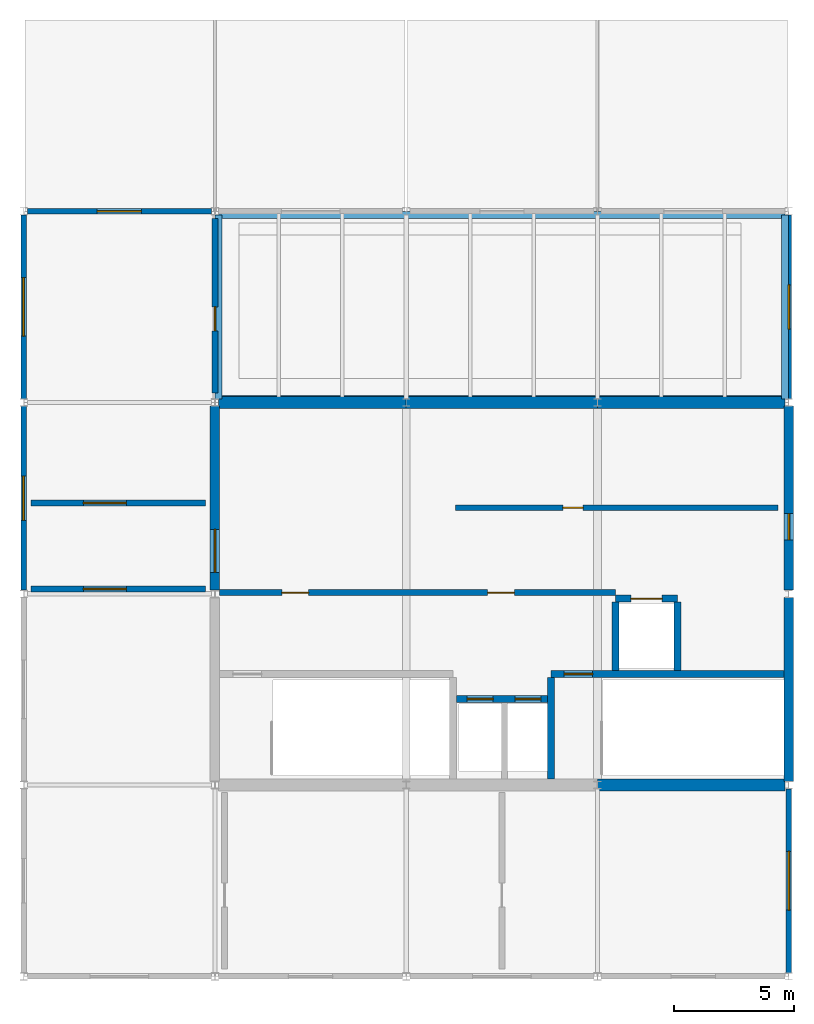
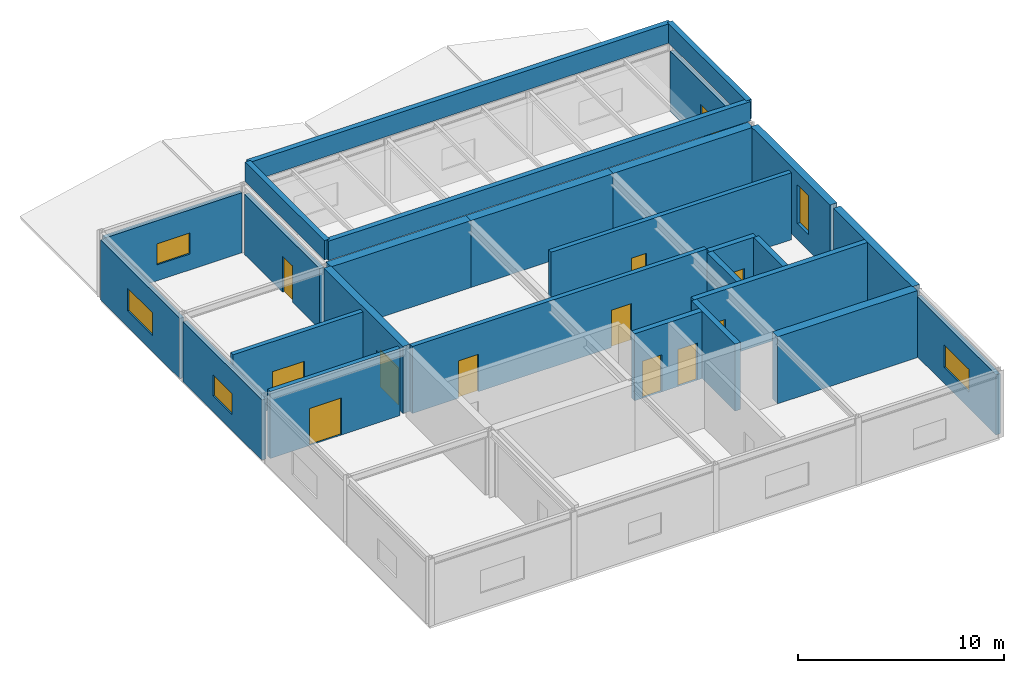
# One storey, part 5 of 7: 27 walls, 11 doors, 6 windows, 17 openings.
"""IFC4 building model written with IfcOpenShell, lengths in metres."""

from ifc_helpers import new_model, si_unit, direction, frame, frame_2d, origin, place, context, subcontext, project, spatial, rectangle, extrude, material, layer, layer_set, type_object, element, fill, save


model = new_model("IFC4")

# Units and contexts
model_context = context("Model", 3, precision=1e-05, world=origin(), true_north=direction((0.0, 1.0)))
body_context = subcontext(model_context, "Body", "Model", "MODEL_VIEW")
ifc_project = project(units=[si_unit("LENGTHUNIT", "METRE"), si_unit("AREAUNIT", "SQUARE_METRE"), si_unit("VOLUMEUNIT", "CUBIC_METRE"), si_unit("PLANEANGLEUNIT", "RADIAN"), si_unit("MASSUNIT", "GRAM", prefix="KILO")], contexts=[model_context])

# Site, building, storey
site_placement = place(None, origin())
site = spatial("IfcSite", under=ifc_project, at=site_placement, CompositionType="ELEMENT")
building_placement = place(site_placement, origin())
building = spatial("IfcBuilding", under=site, at=building_placement, Name="Varnela Railside Interchange", CompositionType="ELEMENT")
storey_placement = place(building_placement, frame((0.0, 0.0, 36.39990234375)))
storey = spatial("IfcBuildingStorey", under=building, at=storey_placement, Name="L08", CompositionType="ELEMENT", Elevation=36.39990234375)

# Wall, opening, door
ifc_material_1 = material(Name="Concrete C50", Category="concrete")
ifc_layer_1 = layer(ifc_material_1, 0.39990234375)
ifc_layer_set_1 = layer_set([ifc_layer_1], Name="Concrete C50")
wall_type_1 = type_object("IfcWallType", Name="Core Coupling Shear Wall SW-02", PredefinedType="SHEAR", material=ifc_layer_set_1)
wall_1_placement = place(storey_placement, frame((12.0, 62.154052734375, 0.0), z_axis=(0.0, 0.0, 1.0), x_axis=(0.0, 1.0, 0.0)))
wall_1 = element("IfcWall", 1, at=wall_1_placement, inside=storey, type_object=wall_type_1, Name="Core Coupling Shear Wall SW-02 (L08) (WL-1087)", PredefinedType="SHEAR", context=body_context, shape_type="SweptSolid", body=[
    extrude(rectangle(XDim=7.69189453125, YDim=0.39990234375, at=frame_2d((3.845947265625, 0.0))), origin(), (0.0, 0.0, 1.0), 3.97998046875),
])
opening_1_placement = place(wall_1_placement, frame((0.74609375, 0.0, 0.0)))
opening_1 = element("IfcOpeningElement", 2, at=opening_1_placement, cuts=wall_1, Name="Opening D-325", PredefinedType="OPENING", context=body_context, shape_type="SweptSolid", body=[
    extrude(rectangle(XDim=1.800048828125, YDim=2.199951171875, at=frame_2d((0.89990234375, 1.10009765625))), frame((0.0, 0.2099609375, 0.0), z_axis=(0.0, -1.0, 0.0), x_axis=(1.0, 0.0, 0.0)), (0.0, 0.0, 1.0), 0.419921875),
])
ifc_material_2 = material(Name="Steel AR 350 (350 MPa)", Category="steel")
door_type_1 = type_object("IfcDoorType", Name="DR-DBL-1800-FD60", OperationType="DOUBLE_DOOR_SINGLE_SWING", PredefinedType="DOOR", material=ifc_material_2)
door_1_placement = place(opening_1_placement, frame((1.800048828125, 0.0, 0.0), z_axis=(0.0, 0.0, 1.0), x_axis=(-1.0, 0.0, 0.0)))
door_1 = element("IfcDoor", 3, at=door_1_placement, inside=storey, type_object=door_type_1, Name="Door D-325", OperationType="DOUBLE_DOOR_SINGLE_SWING", OverallHeight=2.199951171875, OverallWidth=1.800048828125, PredefinedType="DOOR", context=body_context, shape_type="SweptSolid", body=[
    extrude(rectangle(XDim=1.800048828125, YDim=2.199951171875, at=frame_2d((0.89990234375, 1.10009765625))), frame((0.0, 0.02490234375, 0.0), z_axis=(0.0, -1.0, 0.0), x_axis=(1.0, 0.0, 0.0)), (0.0, 0.0, 1.0), 0.050048828125),
])
fill(opening_1, door_1)

# Wall
wall_2_placement = place(storey_placement, frame((36.0, 54.154052734375, 0.0), z_axis=(0.0, 0.0, 1.0), x_axis=(0.0, 1.0, 0.0)))
element("IfcWall", 4, at=wall_2_placement, inside=storey, type_object=wall_type_1, Name="Core Coupling Shear Wall SW-02 (L08) (WL-1068)", PredefinedType="SHEAR", context=body_context, shape_type="SweptSolid", body=[
    extrude(rectangle(XDim=7.69189453125, YDim=0.39990234375, at=frame_2d((3.845947265625, 0.0))), origin(), (0.0, 0.0, 1.0), 3.97998046875),
])

# Wall, opening, window
wall_3_placement = place(storey_placement, frame((36.0, 62.154052734375, 0.0), z_axis=(0.0, 0.0, 1.0), x_axis=(0.0, 1.0, 0.0)))
wall_3 = element("IfcWall", 5, at=wall_3_placement, inside=storey, type_object=wall_type_1, Name="Core Coupling Shear Wall SW-02 (L08) (WL-1069)", PredefinedType="SHEAR", context=body_context, shape_type="SweptSolid", body=[
    extrude(rectangle(XDim=7.69189453125, YDim=0.39990234375, at=frame_2d((3.845947265625, 0.0))), origin(), (0.0, 0.0, 1.0), 3.97998046875),
])
opening_2_placement = place(wall_3_placement, frame((2.10009765625, 0.0, 0.949951171875)))
opening_2 = element("IfcOpeningElement", 6, at=opening_2_placement, cuts=wall_3, Name="Opening W-154", PredefinedType="OPENING", context=body_context, shape_type="SweptSolid", body=[
    extrude(rectangle(XDim=1.10009765625, YDim=2.300048828125, at=frame_2d((0.550048828125, 1.14990234375))), frame((0.0, 0.2099609375, 0.0), z_axis=(0.0, -1.0, 0.0), x_axis=(1.0, 0.0, 0.0)), (0.0, 0.0, 1.0), 0.419921875),
])
ifc_material_3 = material(Name="Glass laminated double", Category="glass")
window_type_1 = type_object("IfcWindowType", Name="Core Stair Daylight Slot WN-25", PartitioningType="SINGLE_PANEL", PredefinedType="WINDOW", material=ifc_material_3)
window_1_placement = place(opening_2_placement, origin())
window_1 = element("IfcWindow", 7, at=window_1_placement, inside=storey, type_object=window_type_1, Name="Window W-154", OverallHeight=2.300048828125, OverallWidth=1.10009765625, PartitioningType="SINGLE_PANEL", PredefinedType="WINDOW", context=body_context, shape_type="SweptSolid", body=[
    extrude(rectangle(XDim=1.10009765625, YDim=2.300048828125, at=frame_2d((0.550048828125, 1.14990234375))), frame((0.0, 0.030029296875, 0.0), z_axis=(0.0, -1.0, 0.0), x_axis=(1.0, 0.0, 0.0)), (0.0, 0.0, 1.0), 0.06005859375),
])
fill(opening_2, window_1)

# Walls
ifc_layer_2 = layer(ifc_material_1, 0.5)
ifc_layer_set_2 = layer_set([ifc_layer_2], Name="Concrete C50")
wall_type_2 = type_object("IfcWallType", Name="Core Primary Shear Wall SW-01", PredefinedType="SHEAR", material=ifc_layer_set_2)
for number, where, z_axis, x_axis, name in (
    (8, (28.0, 54.0, 0.0), (0.0, 0.0, 1.0), (1.0, 0.0, 0.0), "Core Primary Shear Wall SW-01 (L08) (WL-1081)"),
    (9, (12.155029296875, 70.0, 0.0), (0.0, 0.0, 1.0), (1.0, 0.0, 0.0), "Core Primary Shear Wall SW-01 (L08) (WL-1076)"),
):
    element("IfcWall", number, at=place(storey_placement, frame(where, z_axis=z_axis, x_axis=x_axis)), inside=storey, type_object=wall_type_2, Name=name, PredefinedType="SHEAR", context=body_context, shape_type="SweptSolid", body=[
        extrude(rectangle(XDim=7.844970703125, YDim=0.5, at=frame_2d((3.92236328125, 0.0))), origin(), (0.0, 0.0, 1.0), 3.97998046875),
    ])
wall_4_placement = place(storey_placement, frame((20.0, 70.0, 0.0), z_axis=(0.0, 0.0, 1.0), x_axis=(1.0, 0.0, 0.0)))
element("IfcWall", 10, at=wall_4_placement, inside=storey, type_object=wall_type_2, Name="Core Primary Shear Wall SW-01 (L08) (WL-1077)", PredefinedType="SHEAR", context=body_context, shape_type="SweptSolid", body=[
    extrude(rectangle(XDim=8.0, YDim=0.5, at=frame_2d((4.0, 0.0))), origin(), (0.0, 0.0, 1.0), 3.97998046875),
])
wall_5_placement = place(storey_placement, frame((28.0, 70.0, 0.0), z_axis=(0.0, 0.0, 1.0), x_axis=(1.0, 0.0, 0.0)))
element("IfcWall", 11, at=wall_5_placement, inside=storey, type_object=wall_type_2, Name="Core Primary Shear Wall SW-01 (L08) (WL-1078)", PredefinedType="SHEAR", context=body_context, shape_type="SweptSolid", body=[
    extrude(rectangle(XDim=7.844970703125, YDim=0.5, at=frame_2d((3.92236328125, 0.0))), origin(), (0.0, 0.0, 1.0), 3.97998046875),
])

# Wall, opening, window
ifc_material_4 = material(Name="Concrete C40 precast", Category="concrete")
ifc_layer_3 = layer(ifc_material_4, 0.239990234375)
ifc_layer_set_3 = layer_set([ifc_layer_3], Name="Concrete C40 precast")
wall_type_3 = type_object("IfcWallType", Name="Plant Louvre Screen Wall EW-05", PredefinedType="STANDARD", material=ifc_layer_set_3)
wall_6_placement = place(storey_placement, frame((4.0, 62.151611328125, 0.0), z_axis=(0.0, 0.0, 1.0), x_axis=(0.0, 1.0, 0.0)))
wall_6 = element("IfcWall", 12, at=wall_6_placement, inside=storey, type_object=wall_type_3, Name="Plant Louvre Screen Wall EW-05 (L08) (WL-1099)", PredefinedType="STANDARD", context=body_context, shape_type="SweptSolid", body=[
    extrude(rectangle(XDim=7.69677734375, YDim=0.239990234375, at=frame_2d((3.848388671875, 0.0))), origin(), (0.0, 0.0, 1.0), 3.572998046875),
])
opening_3_placement = place(wall_6_placement, frame((2.923583984375, 0.0, 0.949951171875)))
opening_3 = element("IfcOpeningElement", 13, at=opening_3_placement, cuts=wall_6, Name="Opening W-161", PredefinedType="OPENING", context=body_context, shape_type="SweptSolid", body=[
    extrude(rectangle(XDim=1.85009765625, YDim=1.25, at=frame_2d((0.925048828125, 0.625))), frame((0.0, 0.1298828125, 0.0), z_axis=(0.0, -1.0, 0.0), x_axis=(1.0, 0.0, 0.0)), (0.0, 0.0, 1.0), 0.260009765625),
])
ifc_material_5 = material(Name="Aluminium 6063-T6", Category="aluminium")
window_type_2 = type_object("IfcWindowType", Name="Smoke Extract Louvre Win WN-24", PartitioningType="SINGLE_PANEL", PredefinedType="WINDOW", material=ifc_material_5)
window_2_placement = place(opening_3_placement, origin())
window_2 = element("IfcWindow", 14, at=window_2_placement, inside=storey, type_object=window_type_2, Name="Window W-161", OverallHeight=1.25, OverallWidth=1.85009765625, PartitioningType="SINGLE_PANEL", PredefinedType="WINDOW", context=body_context, shape_type="SweptSolid", body=[
    extrude(rectangle(XDim=1.85009765625, YDim=1.25, at=frame_2d((0.925048828125, 0.625))), frame((0.0, 0.030029296875, 0.0), z_axis=(0.0, -1.0, 0.0), x_axis=(1.0, 0.0, 0.0)), (0.0, 0.0, 1.0), 0.06005859375),
])
fill(opening_3, window_2)

wall_7_placement = place(storey_placement, frame((4.0, 70.151611328125, 0.0), z_axis=(0.0, 0.0, 1.0), x_axis=(0.0, 1.0, 0.0)))
wall_7 = element("IfcWall", 15, at=wall_7_placement, inside=storey, type_object=wall_type_3, Name="Plant Louvre Screen Wall EW-05 (L08) (WL-1100)", PredefinedType="STANDARD", context=body_context, shape_type="SweptSolid", body=[
    extrude(rectangle(XDim=7.69677734375, YDim=0.239990234375, at=frame_2d((3.848388671875, 0.0))), origin(), (0.0, 0.0, 1.0), 3.572998046875),
])
opening_4_placement = place(wall_7_placement, frame((2.62353515625, 0.0, 0.949951171875)))
opening_4 = element("IfcOpeningElement", 16, at=opening_4_placement, cuts=wall_7, Name="Opening W-162", PredefinedType="OPENING", context=body_context, shape_type="SweptSolid", body=[
    extrude(rectangle(XDim=2.449951171875, YDim=1.35009765625, at=frame_2d((1.22509765625, 0.675048828125))), frame((0.0, 0.1298828125, 0.0), z_axis=(0.0, -1.0, 0.0), x_axis=(1.0, 0.0, 0.0)), (0.0, 0.0, 1.0), 0.260009765625),
])
window_type_3 = type_object("IfcWindowType", Name="Plant Acoustic Louvre Win WN-23", PartitioningType="SINGLE_PANEL", PredefinedType="WINDOW", material=ifc_material_5)
window_3_placement = place(opening_4_placement, origin())
window_3 = element("IfcWindow", 17, at=window_3_placement, inside=storey, type_object=window_type_3, Name="Window W-162", OverallHeight=1.35009765625, OverallWidth=2.449951171875, PartitioningType="SINGLE_PANEL", PredefinedType="WINDOW", context=body_context, shape_type="SweptSolid", body=[
    extrude(rectangle(XDim=2.449951171875, YDim=1.35009765625, at=frame_2d((1.22509765625, 0.675048828125))), frame((0.0, 0.030029296875, 0.0), z_axis=(0.0, -1.0, 0.0), x_axis=(1.0, 0.0, 0.0)), (0.0, 0.0, 1.0), 0.06005859375),
])
fill(opening_4, window_3)

wall_8_placement = place(storey_placement, frame((4.154052734375, 78.0, 0.0), z_axis=(0.0, 0.0, 1.0), x_axis=(1.0, 0.0, 0.0)))
wall_8 = element("IfcWall", 18, at=wall_8_placement, inside=storey, type_object=wall_type_3, Name="Plant Louvre Screen Wall EW-05 (L08) (WL-1101)", PredefinedType="STANDARD", context=body_context, shape_type="SweptSolid", body=[
    extrude(rectangle(XDim=7.69189453125, YDim=0.239990234375, at=frame_2d((3.845947265625, 0.0))), origin(), (0.0, 0.0, 1.0), 3.572998046875),
])
opening_5_placement = place(wall_8_placement, frame((2.9208984375, 0.0, 0.949951171875)))
opening_5 = element("IfcOpeningElement", 19, at=opening_5_placement, cuts=wall_8, Name="Opening W-163", PredefinedType="OPENING", context=body_context, shape_type="SweptSolid", body=[
    extrude(rectangle(XDim=1.85009765625, YDim=1.25, at=frame_2d((0.925048828125, 0.625))), frame((0.0, 0.1298828125, 0.0), z_axis=(0.0, -1.0, 0.0), x_axis=(1.0, 0.0, 0.0)), (0.0, 0.0, 1.0), 0.260009765625),
])
window_4_placement = place(opening_5_placement, origin())
window_4 = element("IfcWindow", 20, at=window_4_placement, inside=storey, type_object=window_type_2, Name="Window W-163", OverallHeight=1.25, OverallWidth=1.85009765625, PartitioningType="SINGLE_PANEL", PredefinedType="WINDOW", context=body_context, shape_type="SweptSolid", body=[
    extrude(rectangle(XDim=1.85009765625, YDim=1.25, at=frame_2d((0.925048828125, 0.625))), frame((0.0, 0.030029296875, 0.0), z_axis=(0.0, -1.0, 0.0), x_axis=(1.0, 0.0, 0.0)), (0.0, 0.0, 1.0), 0.06005859375),
])
fill(opening_5, window_4)

wall_9_placement = place(storey_placement, frame((36.0, 77.848388671875, 0.0), z_axis=(0.0, 0.0, 1.0), x_axis=(0.0, -1.0, 0.0)))
wall_9 = element("IfcWall", 21, at=wall_9_placement, inside=storey, type_object=wall_type_3, Name="Plant Louvre Screen Wall EW-05 (L08) (WL-1092)", PredefinedType="STANDARD", context=body_context, shape_type="SweptSolid", body=[
    extrude(rectangle(XDim=7.6943359375, YDim=0.239990234375, at=frame_2d((3.84716796875, 0.0))), origin(), (0.0, 0.0, 1.0), 3.572998046875),
])
opening_6_placement = place(wall_9_placement, frame((2.92236328125, 0.0, 0.949951171875)))
opening_6 = element("IfcOpeningElement", 22, at=opening_6_placement, cuts=wall_9, Name="Opening W-167", PredefinedType="OPENING", context=body_context, shape_type="SweptSolid", body=[
    extrude(rectangle(XDim=1.85009765625, YDim=1.25, at=frame_2d((0.925048828125, 0.625))), frame((0.0, 0.1298828125, 0.0), z_axis=(0.0, -1.0, 0.0), x_axis=(1.0, 0.0, 0.0)), (0.0, 0.0, 1.0), 0.260009765625),
])
window_5_placement = place(opening_6_placement, origin())
window_5 = element("IfcWindow", 23, at=window_5_placement, inside=storey, type_object=window_type_2, Name="Window W-167", OverallHeight=1.25, OverallWidth=1.85009765625, PartitioningType="SINGLE_PANEL", PredefinedType="WINDOW", context=body_context, shape_type="SweptSolid", body=[
    extrude(rectangle(XDim=1.85009765625, YDim=1.25, at=frame_2d((0.925048828125, 0.625))), frame((0.0, 0.030029296875, 0.0), z_axis=(0.0, -1.0, 0.0), x_axis=(1.0, 0.0, 0.0)), (0.0, 0.0, 1.0), 0.06005859375),
])
fill(opening_6, window_5)

wall_10_placement = place(storey_placement, frame((36.0, 53.845947265625, 0.0), z_axis=(0.0, 0.0, 1.0), x_axis=(0.0, -1.0, 0.0)))
wall_10 = element("IfcWall", 24, at=wall_10_placement, inside=storey, type_object=wall_type_3, Name="Plant Louvre Screen Wall EW-05 (L08) (WL-1093)", PredefinedType="STANDARD", context=body_context, shape_type="SweptSolid", body=[
    extrude(rectangle(XDim=7.6943359375, YDim=0.239990234375, at=frame_2d((3.84716796875, 0.0))), origin(), (0.0, 0.0, 1.0), 3.572998046875),
])
opening_7_placement = place(wall_10_placement, frame((2.622314453125, 0.0, 0.949951171875)))
opening_7 = element("IfcOpeningElement", 25, at=opening_7_placement, cuts=wall_10, Name="Opening W-168", PredefinedType="OPENING", context=body_context, shape_type="SweptSolid", body=[
    extrude(rectangle(XDim=2.449951171875, YDim=1.35009765625, at=frame_2d((1.22509765625, 0.675048828125))), frame((0.0, 0.1298828125, 0.0), z_axis=(0.0, -1.0, 0.0), x_axis=(1.0, 0.0, 0.0)), (0.0, 0.0, 1.0), 0.260009765625),
])
window_6_placement = place(opening_7_placement, origin())
window_6 = element("IfcWindow", 26, at=window_6_placement, inside=storey, type_object=window_type_3, Name="Window W-168", OverallHeight=1.35009765625, OverallWidth=2.449951171875, PartitioningType="SINGLE_PANEL", PredefinedType="WINDOW", context=body_context, shape_type="SweptSolid", body=[
    extrude(rectangle(XDim=2.449951171875, YDim=1.35009765625, at=frame_2d((1.22509765625, 0.675048828125))), frame((0.0, 0.030029296875, 0.0), z_axis=(0.0, -1.0, 0.0), x_axis=(1.0, 0.0, 0.0)), (0.0, 0.0, 1.0), 0.06005859375),
])
fill(opening_7, window_6)

# Walls
ifc_layer_4 = layer(ifc_material_4, 0.2900390625)
ifc_layer_set_4 = layer_set([ifc_layer_4], Name="Concrete C40 precast")
wall_type_4 = type_object("IfcWallType", Name="Sculpted Concrete Roof Parapet PW-01", PredefinedType="PARAPET", material=ifc_layer_set_4)
wall_11_placement = place(storey_placement, frame((12.14990234375, 77.85009765625, 4.2001953125), z_axis=(0.0, 0.0, 1.0), x_axis=(1.0, 0.0, 0.0)))
element("IfcWall", 27, at=wall_11_placement, inside=storey, type_object=wall_type_4, Name="Sculpted Concrete Roof Parapet PW-01 (L08) (WL-1109)", PredefinedType="PARAPET", context=body_context, shape_type="SweptSolid", body=[
    extrude(rectangle(XDim=23.7001953125, YDim=0.2900390625, at=frame_2d((11.85009765625, 0.0))), origin(), (0.0, 0.0, 1.0), 1.14990234375),
])
for number, where, z_axis, x_axis, name in (
    (28, (35.85009765625, 70.14990234375, 4.2001953125), (0.0, 0.0, 1.0), (0.0, 1.0, 0.0), "Sculpted Concrete Roof Parapet PW-01 (L08) (WL-1108)"),
    (29, (12.14990234375, 70.14990234375, 4.2001953125), (0.0, 0.0, 1.0), (0.0, 1.0, 0.0), "Sculpted Concrete Roof Parapet PW-01 (L08) (WL-1111)"),
):
    element("IfcWall", number, at=place(storey_placement, frame(where, z_axis=z_axis, x_axis=x_axis)), inside=storey, type_object=wall_type_4, Name=name, PredefinedType="PARAPET", context=body_context, shape_type="SweptSolid", body=[
        extrude(rectangle(XDim=7.7001953125, YDim=0.2900390625, at=frame_2d((3.85009765625, 0.0))), origin(), (0.0, 0.0, 1.0), 1.14990234375),
    ])
wall_12_placement = place(storey_placement, frame((12.14990234375, 70.14990234375, 4.2001953125), z_axis=(0.0, 0.0, 1.0), x_axis=(1.0, 0.0, 0.0)))
element("IfcWall", 30, at=wall_12_placement, inside=storey, type_object=wall_type_4, Name="Sculpted Concrete Roof Parapet PW-01 (L08) (WL-1110)", PredefinedType="PARAPET", context=body_context, shape_type="SweptSolid", body=[
    extrude(rectangle(XDim=23.7001953125, YDim=0.2900390625, at=frame_2d((11.85009765625, 0.0))), origin(), (0.0, 0.0, 1.0), 1.14990234375),
])

# Wall, opening, door
ifc_material_6 = material(Name="Concrete C40", Category="concrete")
ifc_layer_5 = layer(ifc_material_6, 0.25)
ifc_layer_set_5 = layer_set([ifc_layer_5], Name="Concrete C40")
wall_type_5 = type_object("IfcWallType", Name="Shaft Enclosure Wall EI120 FW-04", PredefinedType="SOLIDWALL", material=ifc_layer_set_5)
wall_13_placement = place(storey_placement, frame((22.050048828125, 65.60009765625, 0.0), z_axis=(0.0, 0.0, 1.0), x_axis=(1.0, 0.0, 0.0)))
wall_13 = element("IfcWall", 31, at=wall_13_placement, inside=storey, type_object=wall_type_5, Name="Shaft Enclosure Wall EI120 FW-04 (L08) (WL-1104)", PredefinedType="SOLIDWALL", context=body_context, shape_type="SweptSolid", body=[
    extrude(rectangle(XDim=13.5, YDim=0.25, at=frame_2d((6.75, 0.0))), origin(), (0.0, 0.0, 1.0), 3.97998046875),
])
opening_8_placement = place(wall_13_placement, frame((4.5, 0.0, 0.0)))
opening_8 = element("IfcOpeningElement", 32, at=opening_8_placement, cuts=wall_13, Name="Opening D-326", PredefinedType="OPENING", context=body_context, shape_type="SweptSolid", body=[
    extrude(rectangle(XDim=0.85009765625, YDim=2.050048828125, at=frame_2d((0.425048828125, 1.02490234375))), frame((0.0, 0.135009765625, 0.0), z_axis=(0.0, -1.0, 0.0), x_axis=(1.0, 0.0, 0.0)), (0.0, 0.0, 1.0), 0.27001953125),
])
door_type_2 = type_object("IfcDoorType", Name="DR-RISER-850", OperationType="NOTDEFINED", PredefinedType="DOOR", material=ifc_material_2)
door_2_placement = place(opening_8_placement, origin())
door_2 = element("IfcDoor", 33, at=door_2_placement, inside=storey, type_object=door_type_2, Name="Door D-326", OperationType="SINGLE_SWING_LEFT", OverallHeight=2.050048828125, OverallWidth=0.85009765625, PredefinedType="DOOR", context=body_context, shape_type="SweptSolid", body=[
    extrude(rectangle(XDim=0.85009765625, YDim=2.050048828125, at=frame_2d((0.425048828125, 1.02490234375))), frame((0.0, 0.02490234375, 0.0), z_axis=(0.0, -1.0, 0.0), x_axis=(1.0, 0.0, 0.0)), (0.0, 0.0, 1.0), 0.050048828125),
])
fill(opening_8, door_2)

ifc_layer_6 = layer(ifc_material_1, 0.300048828125)
ifc_layer_set_6 = layer_set([ifc_layer_6], Name="Concrete C50")
wall_type_6 = type_object("IfcWallType", Name="Stair & Lift Shaft Wall SW-03", PredefinedType="SHEAR", material=ifc_layer_set_6)
wall_14_placement = place(storey_placement, frame((26.050048828125, 58.64990234375, 0.0), z_axis=(0.0, 0.0, 1.0), x_axis=(1.0, 0.0, 0.0)))
wall_14 = element("IfcWall", 34, at=wall_14_placement, inside=storey, type_object=wall_type_6, Name="Stair & Lift Shaft Wall SW-03 (L08) (WL-1084)", PredefinedType="SHEAR", context=body_context, shape_type="SweptSolid", body=[
    extrude(rectangle(XDim=9.75, YDim=0.300048828125, at=frame_2d((4.875, 0.0))), origin(), (0.0, 0.0, 1.0), 3.97998046875),
])
opening_9_placement = place(wall_14_placement, frame((0.550048828125, 0.0, 0.0)))
opening_9 = element("IfcOpeningElement", 35, at=opening_9_placement, cuts=wall_14, Name="Opening D-322", PredefinedType="OPENING", context=body_context, shape_type="SweptSolid", body=[
    extrude(rectangle(XDim=1.199951171875, YDim=2.199951171875, at=frame_2d((0.60009765625, 1.10009765625))), frame((0.0, 0.159912109375, 0.0), z_axis=(0.0, -1.0, 0.0), x_axis=(1.0, 0.0, 0.0)), (0.0, 0.0, 1.0), 0.320068359375),
])
door_type_3 = type_object("IfcDoorType", Name="DR-SGL-1200-FD90", OperationType="NOTDEFINED", PredefinedType="DOOR", material=ifc_material_2)
door_3_placement = place(opening_9_placement, frame((1.199951171875, 0.0, 0.0), z_axis=(0.0, 0.0, 1.0), x_axis=(-1.0, 0.0, 0.0)))
door_3 = element("IfcDoor", 36, at=door_3_placement, inside=storey, type_object=door_type_3, Name="Door D-322", OperationType="SINGLE_SWING_RIGHT", OverallHeight=2.199951171875, OverallWidth=1.199951171875, PredefinedType="DOOR", context=body_context, shape_type="SweptSolid", body=[
    extrude(rectangle(XDim=1.199951171875, YDim=2.199951171875, at=frame_2d((0.60009765625, 1.10009765625))), frame((0.0, 0.02490234375, 0.0), z_axis=(0.0, -1.0, 0.0), x_axis=(1.0, 0.0, 0.0)), (0.0, 0.0, 1.0), 0.050048828125),
])
fill(opening_9, door_3)

# Wall
wall_15_placement = place(storey_placement, frame((26.050048828125, 54.25, 0.0), z_axis=(0.0, 0.0, 1.0), x_axis=(0.0, 1.0, 0.0)))
element("IfcWall", 37, at=wall_15_placement, inside=storey, type_object=wall_type_6, Name="Stair & Lift Shaft Wall SW-03 (L08) (WL-1085)", PredefinedType="SHEAR", context=body_context, shape_type="SweptSolid", body=[
    extrude(rectangle(XDim=4.25, YDim=0.300048828125, at=frame_2d((2.125, 0.0))), origin(), (0.0, 0.0, 1.0), 3.97998046875),
])

# Wall, openings, doors
wall_16_placement = place(storey_placement, frame((22.10009765625, 57.60009765625, 0.0), z_axis=(0.0, 0.0, 1.0), x_axis=(1.0, 0.0, 0.0)))
wall_16 = element("IfcWall", 38, at=wall_16_placement, inside=storey, type_object=wall_type_6, Name="Stair & Lift Shaft Wall SW-03 (L08) (WL-1072)", PredefinedType="SHEAR", context=body_context, shape_type="SweptSolid", body=[
    extrude(rectangle(XDim=3.949951171875, YDim=0.300048828125, at=frame_2d((1.97509765625, 0.0))), origin(), (0.0, 0.0, 1.0), 3.97998046875),
])
opening_10_placement = place(wall_16_placement, frame((0.449951171875, 0.0, 0.0)))
opening_10 = element("IfcOpeningElement", 39, at=opening_10_placement, cuts=wall_16, Name="Opening LD-096", PredefinedType="OPENING", context=body_context, shape_type="SweptSolid", body=[
    extrude(rectangle(XDim=1.080078125, YDim=2.199951171875, at=frame_2d((0.5400390625, 1.10009765625))), frame((0.0, 0.159912109375, 0.0), z_axis=(0.0, -1.0, 0.0), x_axis=(1.0, 0.0, 0.0)), (0.0, 0.0, 1.0), 0.320068359375),
])
opening_11_placement = place(wall_16_placement, frame((2.449951171875, 0.0, 0.0)))
opening_11 = element("IfcOpeningElement", 40, at=opening_11_placement, cuts=wall_16, Name="Opening LD-097", PredefinedType="OPENING", context=body_context, shape_type="SweptSolid", body=[
    extrude(rectangle(XDim=1.080078125, YDim=2.199951171875, at=frame_2d((0.5400390625, 1.10009765625))), frame((0.0, 0.159912109375, 0.0), z_axis=(0.0, -1.0, 0.0), x_axis=(1.0, 0.0, 0.0)), (0.0, 0.0, 1.0), 0.320068359375),
])
door_type_4 = type_object("IfcDoorType", Name="DR-LIFT-1080", OperationType="SLIDING_TO_LEFT", PredefinedType="DOOR", material=ifc_material_2)
door_4_placement = place(opening_10_placement, origin())
door_4 = element("IfcDoor", 41, at=door_4_placement, inside=storey, type_object=door_type_4, Name="Door LD-096", OperationType="SLIDING_TO_LEFT", OverallHeight=2.199951171875, OverallWidth=1.080078125, PredefinedType="DOOR", context=body_context, shape_type="SweptSolid", body=[
    extrude(rectangle(XDim=1.080078125, YDim=2.199951171875, at=frame_2d((0.5400390625, 1.10009765625))), frame((0.0, 0.02490234375, 0.0), z_axis=(0.0, -1.0, 0.0), x_axis=(1.0, 0.0, 0.0)), (0.0, 0.0, 1.0), 0.050048828125),
])
fill(opening_10, door_4)
door_5_placement = place(opening_11_placement, origin())
door_5 = element("IfcDoor", 42, at=door_5_placement, inside=storey, type_object=door_type_4, Name="Door LD-097", OperationType="SLIDING_TO_LEFT", OverallHeight=2.199951171875, OverallWidth=1.080078125, PredefinedType="DOOR", context=body_context, shape_type="SweptSolid", body=[
    extrude(rectangle(XDim=1.080078125, YDim=2.199951171875, at=frame_2d((0.5400390625, 1.10009765625))), frame((0.0, 0.02490234375, 0.0), z_axis=(0.0, -1.0, 0.0), x_axis=(1.0, 0.0, 0.0)), (0.0, 0.0, 1.0), 0.050048828125),
])
fill(opening_11, door_5)

# Wall, opening, door
wall_17_placement = place(storey_placement, frame((28.75, 61.800048828125, 0.0), z_axis=(0.0, 0.0, 1.0), x_axis=(1.0, 0.0, 0.0)))
wall_17 = element("IfcWall", 43, at=wall_17_placement, inside=storey, type_object=wall_type_6, Name="Stair & Lift Shaft Wall SW-03 (L08) (WL-1074)", PredefinedType="SHEAR", context=body_context, shape_type="SweptSolid", body=[
    extrude(rectangle(XDim=2.60009765625, YDim=0.300048828125, at=frame_2d((1.300048828125, 0.0))), origin(), (0.0, 0.0, 1.0), 3.97998046875),
])
opening_12_placement = place(wall_17_placement, frame((0.64990234375, 0.0, 0.0)))
opening_12 = element("IfcOpeningElement", 44, at=opening_12_placement, cuts=wall_17, Name="Opening LD-098", PredefinedType="OPENING", context=body_context, shape_type="SweptSolid", body=[
    extrude(rectangle(XDim=1.300048828125, YDim=2.300048828125, at=frame_2d((0.64990234375, 1.14990234375))), frame((0.0, 0.159912109375, 0.0), z_axis=(0.0, -1.0, 0.0), x_axis=(1.0, 0.0, 0.0)), (0.0, 0.0, 1.0), 0.320068359375),
])
door_type_5 = type_object("IfcDoorType", Name="DR-LIFT-1300", OperationType="SLIDING_TO_LEFT", PredefinedType="DOOR", material=ifc_material_2)
door_6_placement = place(opening_12_placement, origin())
door_6 = element("IfcDoor", 45, at=door_6_placement, inside=storey, type_object=door_type_5, Name="Door LD-098", OperationType="SLIDING_TO_LEFT", OverallHeight=2.300048828125, OverallWidth=1.300048828125, PredefinedType="DOOR", context=body_context, shape_type="SweptSolid", body=[
    extrude(rectangle(XDim=1.300048828125, YDim=2.300048828125, at=frame_2d((0.64990234375, 1.14990234375))), frame((0.0, 0.02490234375, 0.0), z_axis=(0.0, -1.0, 0.0), x_axis=(1.0, 0.0, 0.0)), (0.0, 0.0, 1.0), 0.050048828125),
])
fill(opening_12, door_6)

# Walls
for number, where, z_axis, x_axis, name in (
    (46, (28.75, 58.800048828125, 0.0), (0.0, 0.0, 1.0), (0.0, 1.0, 0.0), "Stair & Lift Shaft Wall SW-03 (L08) (WL-1075)"),
    (47, (31.35009765625, 58.800048828125, 0.0), (0.0, 0.0, 1.0), (0.0, 1.0, 0.0), "Stair & Lift Shaft Wall SW-03 (L08) (WL-1073)"),
):
    element("IfcWall", number, at=place(storey_placement, frame(where, z_axis=z_axis, x_axis=x_axis)), inside=storey, type_object=wall_type_6, Name=name, PredefinedType="SHEAR", context=body_context, shape_type="SweptSolid", body=[
        extrude(rectangle(XDim=2.849853515625, YDim=0.300048828125, at=frame_2d((1.4248046875, 0.0))), origin(), (0.0, 0.0, 1.0), 3.97998046875),
    ])

# Wall, openings, doors
wall_18_placement = place(storey_placement, frame((12.199951171875, 62.050048828125, 0.0), z_axis=(0.0, 0.0, 1.0), x_axis=(1.0, 0.0, 0.0)))
wall_18 = element("IfcWall", 48, at=wall_18_placement, inside=storey, type_object=wall_type_6, Name="Stair & Lift Shaft Wall SW-03 (L08) (WL-1070)", PredefinedType="SHEAR", context=body_context, shape_type="SweptSolid", body=[
    extrude(rectangle(XDim=16.550048828125, YDim=0.25, at=frame_2d((8.27490234375, 0.0))), origin(), (0.0, 0.0, 1.0), 3.97998046875),
])
opening_13_placement = place(wall_18_placement, frame((2.60009765625, 0.0, 0.0)))
opening_13 = element("IfcOpeningElement", 49, at=opening_13_placement, cuts=wall_18, Name="Opening D-323", PredefinedType="OPENING", context=body_context, shape_type="SweptSolid", body=[
    extrude(rectangle(XDim=1.1201171875, YDim=2.219970703125, at=frame_2d((0.56005859375, 1.10986328125))), frame((0.0, 0.135009765625, 0.0), z_axis=(0.0, -1.0, 0.0), x_axis=(1.0, 0.0, 0.0)), (0.0, 0.0, 1.0), 0.27001953125),
])
opening_14_placement = place(wall_18_placement, frame((11.199951171875, 0.0, 0.0)))
opening_14 = element("IfcOpeningElement", 50, at=opening_14_placement, cuts=wall_18, Name="Opening D-324", PredefinedType="OPENING", context=body_context, shape_type="SweptSolid", body=[
    extrude(rectangle(XDim=1.1201171875, YDim=2.219970703125, at=frame_2d((0.56005859375, 1.10986328125))), frame((0.0, 0.135009765625, 0.0), z_axis=(0.0, -1.0, 0.0), x_axis=(1.0, 0.0, 0.0)), (0.0, 0.0, 1.0), 0.27001953125),
])
door_type_6 = type_object("IfcDoorType", Name="DR-SGL-1120-FD90", OperationType="NOTDEFINED", PredefinedType="DOOR", material=ifc_material_2)
door_7_placement = place(opening_13_placement, frame((1.1201171875, 0.0, 0.0), z_axis=(0.0, 0.0, 1.0), x_axis=(-1.0, 0.0, 0.0)))
door_7 = element("IfcDoor", 51, at=door_7_placement, inside=storey, type_object=door_type_6, Name="Door D-323", OperationType="SINGLE_SWING_LEFT", OverallHeight=2.219970703125, OverallWidth=1.1201171875, PredefinedType="DOOR", context=body_context, shape_type="SweptSolid", body=[
    extrude(rectangle(XDim=1.1201171875, YDim=2.219970703125, at=frame_2d((0.56005859375, 1.10986328125))), frame((0.0, 0.02490234375, 0.0), z_axis=(0.0, -1.0, 0.0), x_axis=(1.0, 0.0, 0.0)), (0.0, 0.0, 1.0), 0.050048828125),
])
fill(opening_13, door_7)
door_8_placement = place(opening_14_placement, frame((1.1201171875, 0.0, 0.0), z_axis=(0.0, 0.0, 1.0), x_axis=(-1.0, 0.0, 0.0)))
door_8 = element("IfcDoor", 52, at=door_8_placement, inside=storey, type_object=door_type_6, Name="Door D-324", OperationType="SINGLE_SWING_RIGHT", OverallHeight=2.219970703125, OverallWidth=1.1201171875, PredefinedType="DOOR", context=body_context, shape_type="SweptSolid", body=[
    extrude(rectangle(XDim=1.1201171875, YDim=2.219970703125, at=frame_2d((0.56005859375, 1.10986328125))), frame((0.0, 0.02490234375, 0.0), z_axis=(0.0, -1.0, 0.0), x_axis=(1.0, 0.0, 0.0)), (0.0, 0.0, 1.0), 0.050048828125),
])
fill(opening_14, door_8)

# Wall, opening, door
ifc_layer_7 = layer(ifc_material_6, 0.25)
ifc_layer_set_7 = layer_set([ifc_layer_7], Name="Concrete C40")
wall_type_7 = type_object("IfcWallType", Name="Substation Fire Wall EI120 FW-03", PredefinedType="SOLIDWALL", material=ifc_layer_set_7)
wall_19_placement = place(storey_placement, frame((4.300048828125, 62.199951171875, 0.0), z_axis=(0.0, 0.0, 1.0), x_axis=(1.0, 0.0, 0.0)))
wall_19 = element("IfcWall", 53, at=wall_19_placement, inside=storey, type_object=wall_type_7, Name="Substation Fire Wall EI120 FW-03 (L08) (WL-1103)", PredefinedType="SOLIDWALL", context=body_context, shape_type="SweptSolid", body=[
    extrude(rectangle(XDim=7.300048828125, YDim=0.25, at=frame_2d((3.64990234375, 0.0))), origin(), (0.0, 0.0, 1.0), 3.97998046875),
])
opening_15_placement = place(wall_19_placement, frame((2.199951171875, 0.0, 0.0)))
opening_15 = element("IfcOpeningElement", 54, at=opening_15_placement, cuts=wall_19, Name="Opening D-327", PredefinedType="OPENING", context=body_context, shape_type="SweptSolid", body=[
    extrude(rectangle(XDim=1.800048828125, YDim=2.199951171875, at=frame_2d((0.89990234375, 1.10009765625))), frame((0.0, 0.135009765625, 0.0), z_axis=(0.0, -1.0, 0.0), x_axis=(1.0, 0.0, 0.0)), (0.0, 0.0, 1.0), 0.27001953125),
])
door_9_placement = place(opening_15_placement, origin())
door_9 = element("IfcDoor", 55, at=door_9_placement, inside=storey, type_object=door_type_1, Name="Door D-327", OperationType="DOUBLE_DOOR_SINGLE_SWING", OverallHeight=2.199951171875, OverallWidth=1.800048828125, PredefinedType="DOOR", context=body_context, shape_type="SweptSolid", body=[
    extrude(rectangle(XDim=1.800048828125, YDim=2.199951171875, at=frame_2d((0.89990234375, 1.10009765625))), frame((0.0, 0.02490234375, 0.0), z_axis=(0.0, -1.0, 0.0), x_axis=(1.0, 0.0, 0.0)), (0.0, 0.0, 1.0), 0.050048828125),
])
fill(opening_15, door_9)

wall_20_placement = place(storey_placement, frame((4.300048828125, 65.800048828125, 0.0), z_axis=(0.0, 0.0, 1.0), x_axis=(1.0, 0.0, 0.0)))
wall_20 = element("IfcWall", 56, at=wall_20_placement, inside=storey, type_object=wall_type_7, Name="Substation Fire Wall EI120 FW-03 (L08) (WL-1106)", PredefinedType="SOLIDWALL", context=body_context, shape_type="SweptSolid", body=[
    extrude(rectangle(XDim=7.300048828125, YDim=0.25, at=frame_2d((3.64990234375, 0.0))), origin(), (0.0, 0.0, 1.0), 3.97998046875),
])
opening_16_placement = place(wall_20_placement, frame((2.199951171875, 0.0, 0.0)))
opening_16 = element("IfcOpeningElement", 57, at=opening_16_placement, cuts=wall_20, Name="Opening D-330", PredefinedType="OPENING", context=body_context, shape_type="SweptSolid", body=[
    extrude(rectangle(XDim=1.800048828125, YDim=2.199951171875, at=frame_2d((0.89990234375, 1.10009765625))), frame((0.0, 0.135009765625, 0.0), z_axis=(0.0, -1.0, 0.0), x_axis=(1.0, 0.0, 0.0)), (0.0, 0.0, 1.0), 0.27001953125),
])
door_10_placement = place(opening_16_placement, origin())
door_10 = element("IfcDoor", 58, at=door_10_placement, inside=storey, type_object=door_type_1, Name="Door D-330", OperationType="DOUBLE_DOOR_SINGLE_SWING", OverallHeight=2.199951171875, OverallWidth=1.800048828125, PredefinedType="DOOR", context=body_context, shape_type="SweptSolid", body=[
    extrude(rectangle(XDim=1.800048828125, YDim=2.199951171875, at=frame_2d((0.89990234375, 1.10009765625))), frame((0.0, 0.02490234375, 0.0), z_axis=(0.0, -1.0, 0.0), x_axis=(1.0, 0.0, 0.0)), (0.0, 0.0, 1.0), 0.050048828125),
])
fill(opening_16, door_10)

wall_21_placement = place(storey_placement, frame((12.0, 70.39990234375, 0.0), z_axis=(0.0, 0.0, 1.0), x_axis=(0.0, 1.0, 0.0)))
wall_21 = element("IfcWall", 59, at=wall_21_placement, inside=storey, type_object=wall_type_7, Name="Substation Fire Wall EI120 FW-03 (L08) (WL-1102)", PredefinedType="SOLIDWALL", context=body_context, shape_type="SweptSolid", body=[
    extrude(rectangle(XDim=7.300048828125, YDim=0.25, at=frame_2d((3.64990234375, 0.0))), origin(), (0.0, 0.0, 1.0), 3.572998046875),
])
opening_17_placement = place(wall_21_placement, frame((2.60009765625, 0.0, 0.0)))
opening_17 = element("IfcOpeningElement", 60, at=opening_17_placement, cuts=wall_21, Name="Opening D-331", PredefinedType="OPENING", context=body_context, shape_type="SweptSolid", body=[
    extrude(rectangle(XDim=1.0, YDim=2.14990234375, at=frame_2d((0.5, 1.074951171875))), frame((0.0, 0.135009765625, 0.0), z_axis=(0.0, -1.0, 0.0), x_axis=(1.0, 0.0, 0.0)), (0.0, 0.0, 1.0), 0.27001953125),
])
door_type_7 = type_object("IfcDoorType", Name="DR-SGL-1000-FD60", OperationType="NOTDEFINED", PredefinedType="DOOR", material=ifc_material_2)
door_11_placement = place(opening_17_placement, origin())
door_11 = element("IfcDoor", 61, at=door_11_placement, inside=storey, type_object=door_type_7, Name="Door D-331", OperationType="SINGLE_SWING_RIGHT", OverallHeight=2.14990234375, OverallWidth=1.0, PredefinedType="DOOR", context=body_context, shape_type="SweptSolid", body=[
    extrude(rectangle(XDim=1.0, YDim=2.14990234375, at=frame_2d((0.5, 1.074951171875))), frame((0.0, 0.02490234375, 0.0), z_axis=(0.0, -1.0, 0.0), x_axis=(1.0, 0.0, 0.0)), (0.0, 0.0, 1.0), 0.050048828125),
])
fill(opening_17, door_11)

save(model, "model.ifc")
